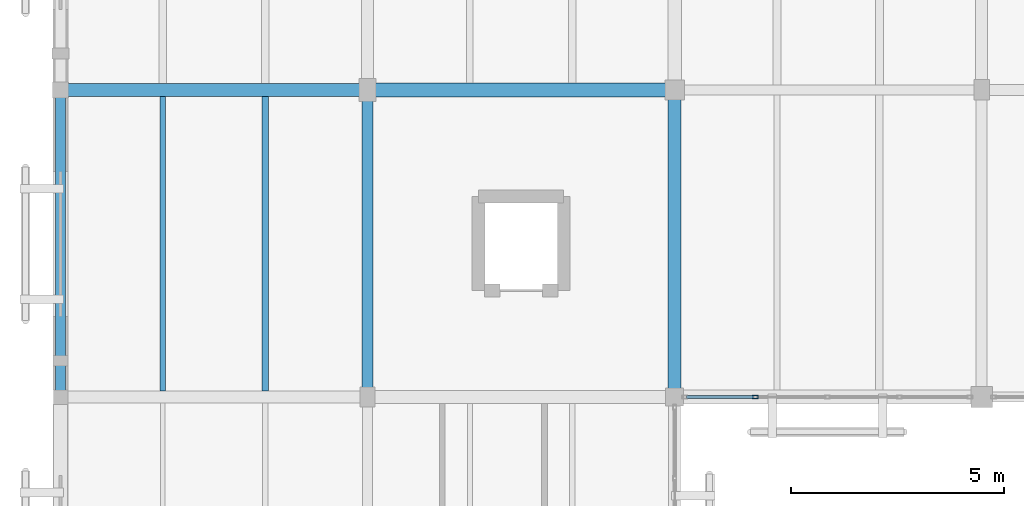
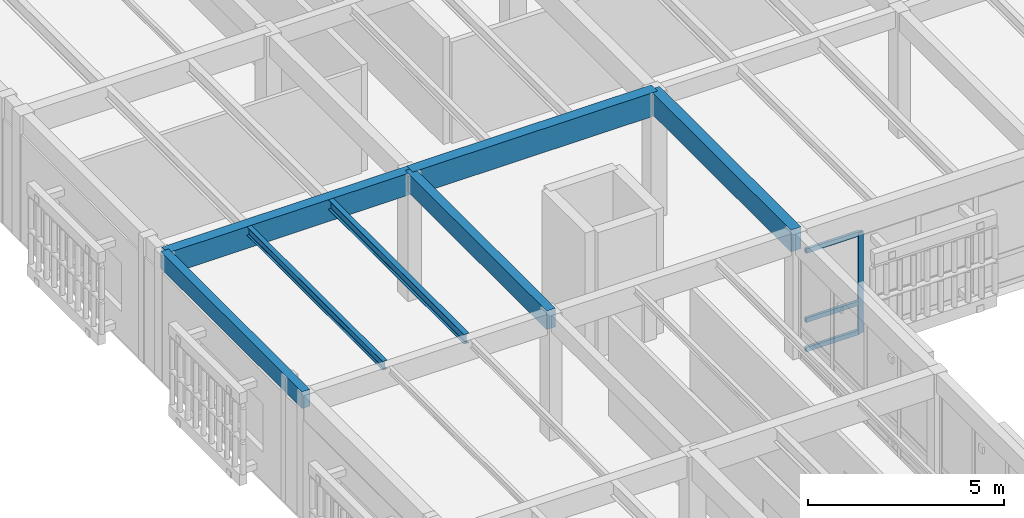
# One storey, part 55 of 217: 7 beams, 4 members, 1 element without a shape of its own.
"""IFC4 building model written with IfcOpenShell, lengths in metres."""

from ifc_helpers import new_model, si_unit, direction, frame, origin, origin_2d, place, context, subcontext, project, spatial, rectangle, hollow_rectangle, i_section, extrude, material, layer, layer_set, material_profile, profile_set, type_object, element, aggregate, save


model = new_model("IFC4")

# Units and contexts
model_context = context("Model", 3, precision=1e-05, world=origin(), true_north=direction((0.0, 1.0)))
body_context = subcontext(model_context, "Body", "Model", "MODEL_VIEW")
ifc_project = project(units=[si_unit("LENGTHUNIT", "METRE"), si_unit("AREAUNIT", "SQUARE_METRE"), si_unit("VOLUMEUNIT", "CUBIC_METRE"), si_unit("PLANEANGLEUNIT", "RADIAN"), si_unit("MASSUNIT", "GRAM", prefix="KILO")], contexts=[model_context])

# Site, building, storey
site_placement = place(None, origin())
site = spatial("IfcSite", under=ifc_project, at=site_placement, CompositionType="ELEMENT")
building_placement = place(site_placement, origin())
building = spatial("IfcBuilding", under=site, at=building_placement, Name="Mazaris Harbour Polytechnic", CompositionType="ELEMENT")
storey_placement = place(building_placement, frame((0.0, 0.0, 9.60009765625)))
storey = spatial("IfcBuildingStorey", under=building, at=storey_placement, Name="L02", CompositionType="ELEMENT", Elevation=9.60009765625)

# Curtain wall, members
ifc_material_1 = material(Name="Anodised Bronze Aluminium and Low-E Glass", Category="aluminium")
ifc_layer = layer(ifc_material_1, 0.159912109375, Name="Anodised Bronze Aluminium and Low-E Glass")
ifc_layer_set = layer_set([ifc_layer], Name="Anodised Bronze Aluminium and Low-E Glass")
curtain_wall_type = type_object("IfcCurtainWallType", Name="Cloister Court Curtain Wall", PredefinedType="NOTDEFINED", material=ifc_layer_set)
curtain_wall_placement = place(storey_placement, origin())
curtain_wall = element("IfcCurtainWall", 1, at=curtain_wall_placement, inside=storey, type_object=curtain_wall_type, Name="V4 L02 Curtain Wall 135", PredefinedType="NOTDEFINED")
ifc_material_2 = material(Name="Anodised Bronze Steel S355", Category="steel")
ifc_material_profile_1 = material_profile(ifc_material_2, hollow_rectangle(XDim=0.080078125, YDim=0.139892578125, WallThickness=0.00634765625, at=origin_2d()), Name="RHS 80x140x6.3")
ifc_profile_set_1 = profile_set([ifc_material_profile_1], Name="Anodised Bronze Steel S355")
member_type_1 = type_object("IfcMemberType", Name="Curtain Mullion RHS80x140", PredefinedType="MULLION", material=ifc_profile_set_1)
member_1_placement = place(storey_placement, frame((16.291015625, 68.39990234375, 0.0), z_axis=(0.0, 0.0, 1.0), x_axis=(0.0, -1.0, 0.0)))
member_1 = element("IfcMember", 2, at=member_1_placement, type_object=member_type_1, Name="CW-02 mullion 4", PredefinedType="MULLION", context=body_context, shape_type="SweptSolid", body=[
    extrude(hollow_rectangle(XDim=0.080078125, YDim=0.139892578125, WallThickness=0.00634765625, at=origin_2d()), origin(), (0.0, 0.0, 1.0), 3.139892578125),
])
ifc_material_3 = material(Name="Anodised Bronze Steel S355", Category="steel")
ifc_material_profile_2 = material_profile(ifc_material_3, hollow_rectangle(XDim=0.080078125, YDim=0.139892578125, WallThickness=0.00634765625, at=origin_2d()), Name="RHS 80x140x6.3")
ifc_profile_set_2 = profile_set([ifc_material_profile_2], Name="Anodised Bronze Steel S355")
member_type_2 = type_object("IfcMemberType", Name="Curtain Transom RHS80x140", PredefinedType="USERDEFINED", material=ifc_profile_set_2)
member_2_placement = place(storey_placement, frame((16.2509765625, 68.39990234375, 0.039794921875), z_axis=(-1.0, 0.0, 0.0), x_axis=(0.0, -1.0, 0.0)))
member_2 = element("IfcMember", 3, at=member_2_placement, type_object=member_type_2, Name="CW-02 transom 4.1", ObjectType="TRANSOM", PredefinedType="USERDEFINED", context=body_context, shape_type="SweptSolid", body=[
    extrude(hollow_rectangle(XDim=0.080078125, YDim=0.139892578125, WallThickness=0.00634765625, at=origin_2d()), origin(), (0.0, 0.0, 1.0), 1.569091796875),
])
member_3_placement = place(storey_placement, frame((16.2509765625, 68.39990234375, 0.949951171875), z_axis=(-1.0, 0.0, 0.0), x_axis=(0.0, -1.0, 0.0)))
member_3 = element("IfcMember", 4, at=member_3_placement, type_object=member_type_2, Name="CW-02 transom 4.2", ObjectType="TRANSOM", PredefinedType="USERDEFINED", context=body_context, shape_type="SweptSolid", body=[
    extrude(hollow_rectangle(XDim=0.080078125, YDim=0.139892578125, WallThickness=0.00634765625, at=origin_2d()), origin(), (0.0, 0.0, 1.0), 1.569091796875),
])
member_4_placement = place(storey_placement, frame((16.2509765625, 68.39990234375, 3.099853515625), z_axis=(-1.0, 0.0, 0.0), x_axis=(0.0, -1.0, 0.0)))
member_4 = element("IfcMember", 5, at=member_4_placement, type_object=member_type_2, Name="CW-02 transom 4.3", ObjectType="TRANSOM", PredefinedType="USERDEFINED", context=body_context, shape_type="SweptSolid", body=[
    extrude(hollow_rectangle(XDim=0.080078125, YDim=0.139892578125, WallThickness=0.00634765625, at=origin_2d()), origin(), (0.0, 0.0, 1.0), 1.569091796875),
])
aggregate(curtain_wall, [member_1, member_2, member_3, member_4])

# Beams
ifc_material_4 = material(Name="Glulam GL32h", Category="wood")
ifc_material_profile_3 = material_profile(ifc_material_4, rectangle(XDim=0.239990234375, YDim=0.52001953125, at=origin_2d()), Name="RECT240x520")
ifc_profile_set_3 = profile_set([ifc_material_profile_3], Name="Glulam GL32h")
beam_type_1 = type_object("IfcBeamType", Name="Glulam Girder 240x520 Exterior", PredefinedType="BEAM", material=ifc_profile_set_3)
beam_1_placement = place(storey_placement, frame((0.0, 68.39990234375, 3.6298828125), z_axis=(0.0, 1.0, 0.0), x_axis=(-1.0, 0.0, 0.0)))
element("IfcBeam", 6, at=beam_1_placement, inside=storey, type_object=beam_type_1, Name="V4 L02 Tie Girder 1975", PredefinedType="BEAM", context=body_context, shape_type="SweptSolid", body=[
    extrude(rectangle(XDim=0.239990234375, YDim=0.52001953125, at=origin_2d()), origin(), (0.0, 0.0, 1.0), 7.2001953125),
])
ifc_material_5 = material(Name="Glulam GL32h", Category="wood")
ifc_material_profile_4 = material_profile(ifc_material_5, rectangle(XDim=0.260009765625, YDim=0.580078125, at=origin_2d()), Name="RECT260x580")
ifc_profile_set_4 = profile_set([ifc_material_profile_4], Name="Glulam GL32h")
beam_type_2 = type_object("IfcBeamType", Name="Glulam Girder 260x580", PredefinedType="BEAM", material=ifc_profile_set_4)
beam_2_placement = place(storey_placement, frame((7.199951171875, 68.39990234375, 3.599853515625), z_axis=(0.0, 1.0, 0.0), x_axis=(-1.0, 0.0, 0.0)))
element("IfcBeam", 7, at=beam_2_placement, inside=storey, type_object=beam_type_2, Name="V4 L02 Tie Girder 1986", PredefinedType="BEAM", context=body_context, shape_type="SweptSolid", body=[
    extrude(rectangle(XDim=0.260009765625, YDim=0.580078125, at=origin_2d()), origin(), (0.0, 0.0, 1.0), 7.2001953125),
])
ifc_material_6 = material(Name="Glulam GL32h", Category="wood")
ifc_material_profile_5 = material_profile(ifc_material_6, rectangle(XDim=0.300048828125, YDim=0.679931640625, at=origin_2d()), Name="RECT300x680")
ifc_profile_set_5 = profile_set([ifc_material_profile_5], Name="Glulam GL32h")
beam_type_3 = type_object("IfcBeamType", Name="Glulam Girder 300x680", PredefinedType="BEAM", material=ifc_profile_set_5)
beam_3_placement = place(storey_placement, frame((0.0, 75.60009765625, 3.5498046875), z_axis=(1.0, 0.0, 0.0), x_axis=(0.0, 1.0, 0.0)))
element("IfcBeam", 8, at=beam_3_placement, inside=storey, type_object=beam_type_3, Name="V4 L02 Girder 1943", PredefinedType="BEAM", context=body_context, shape_type="SweptSolid", body=[
    extrude(rectangle(XDim=0.300048828125, YDim=0.679931640625, at=origin_2d()), origin(), (0.0, 0.0, 1.0), 7.199951171875),
])
beam_4_placement = place(storey_placement, frame((14.39990234375, 68.39990234375, 3.5498046875), z_axis=(0.0, 1.0, 0.0), x_axis=(-1.0, 0.0, 0.0)))
element("IfcBeam", 9, at=beam_4_placement, inside=storey, type_object=beam_type_3, Name="V4 L02 Tie Girder 1998", PredefinedType="BEAM", context=body_context, shape_type="SweptSolid", body=[
    extrude(rectangle(XDim=0.300048828125, YDim=0.679931640625, at=origin_2d()), origin(), (0.0, 0.0, 1.0), 7.2001953125),
])
ifc_material_7 = material(Name="Glulam GL32h", Category="wood")
ifc_material_profile_6 = material_profile(ifc_material_7, rectangle(XDim=0.320068359375, YDim=0.739990234375, at=origin_2d()), Name="RECT320x740")
ifc_profile_set_6 = profile_set([ifc_material_profile_6], Name="Glulam GL32h")
beam_type_4 = type_object("IfcBeamType", Name="Glulam Girder 320x740", PredefinedType="BEAM", material=ifc_profile_set_6)
beam_5_placement = place(storey_placement, frame((7.199951171875, 75.60009765625, 3.52001953125), z_axis=(1.0, 0.0, 0.0), x_axis=(0.0, 1.0, 0.0)))
element("IfcBeam", 10, at=beam_5_placement, inside=storey, type_object=beam_type_4, Name="V4 L02 Girder 1944", PredefinedType="BEAM", context=body_context, shape_type="SweptSolid", body=[
    extrude(rectangle(XDim=0.320068359375, YDim=0.739990234375, at=origin_2d()), origin(), (0.0, 0.0, 1.0), 7.199951171875),
])
ifc_material_8 = material(Name="Steel S355", Category="steel")
ifc_material_profile_7 = material_profile(ifc_material_8, i_section(OverallWidth=0.135009765625, OverallDepth=0.27001953125, WebThickness=0.006591796875, FlangeThickness=0.01025390625, FilletRadius=0.014892578125, at=origin_2d()), Name="IPE 270")
ifc_profile_set_7 = profile_set([ifc_material_profile_7], Name="Steel S355")
beam_type_5 = type_object("IfcBeamType", Name="Steel Joist IPE270", PredefinedType="JOIST", material=ifc_profile_set_7)
beam_6_placement = place(storey_placement, frame((2.39990234375, 68.5400390625, 3.7548828125), z_axis=(0.0, 1.0, 0.0), x_axis=(-1.0, 0.0, 0.0)))
element("IfcBeam", 11, at=beam_6_placement, inside=storey, type_object=beam_type_5, Name="V4 L02 Floor Joist 2060", PredefinedType="JOIST", context=body_context, shape_type="SweptSolid", body=[
    extrude(i_section(OverallWidth=0.135009765625, OverallDepth=0.27001953125, WebThickness=0.006591796875, FlangeThickness=0.01025390625, FilletRadius=0.014892578125, at=origin_2d()), origin(), (0.0, 0.0, 1.0), 6.909912109375),
])
ifc_material_9 = material(Name="Steel S355", Category="steel")
ifc_material_profile_8 = material_profile(ifc_material_9, i_section(OverallWidth=0.14990234375, OverallDepth=0.300048828125, WebThickness=0.007080078125, FlangeThickness=0.0107421875, FilletRadius=0.014892578125, at=origin_2d()), Name="IPE 300")
ifc_profile_set_8 = profile_set([ifc_material_profile_8], Name="Steel S355")
beam_type_6 = type_object("IfcBeamType", Name="Steel Joist IPE300", PredefinedType="JOIST", material=ifc_profile_set_8)
beam_7_placement = place(storey_placement, frame((4.800048828125, 68.5400390625, 3.739990234375), z_axis=(0.0, 1.0, 0.0), x_axis=(-1.0, 0.0, 0.0)))
element("IfcBeam", 12, at=beam_7_placement, inside=storey, type_object=beam_type_6, Name="V4 L02 Floor Joist 2061", PredefinedType="JOIST", context=body_context, shape_type="SweptSolid", body=[
    extrude(i_section(OverallWidth=0.14990234375, OverallDepth=0.300048828125, WebThickness=0.007080078125, FlangeThickness=0.0107421875, FilletRadius=0.014892578125, at=origin_2d()), origin(), (0.0, 0.0, 1.0), 6.909912109375),
])

save(model, "model.ifc")
